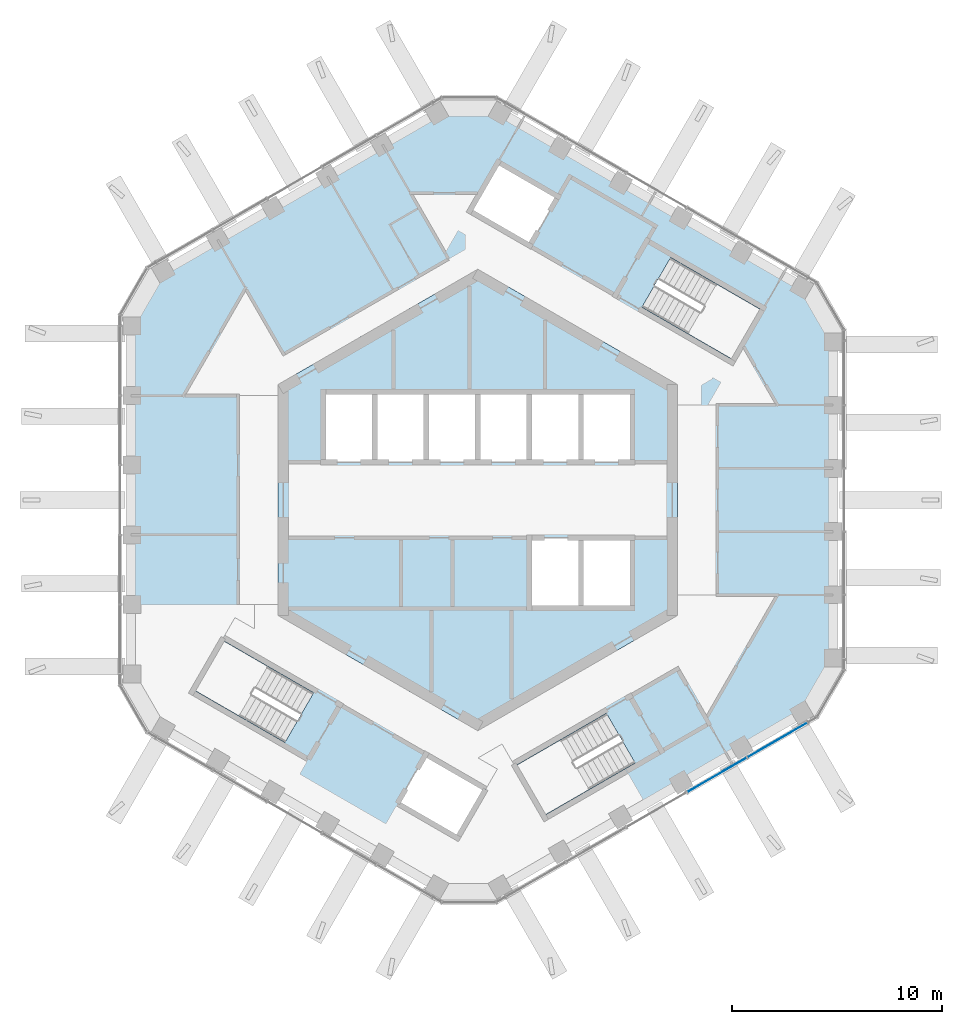
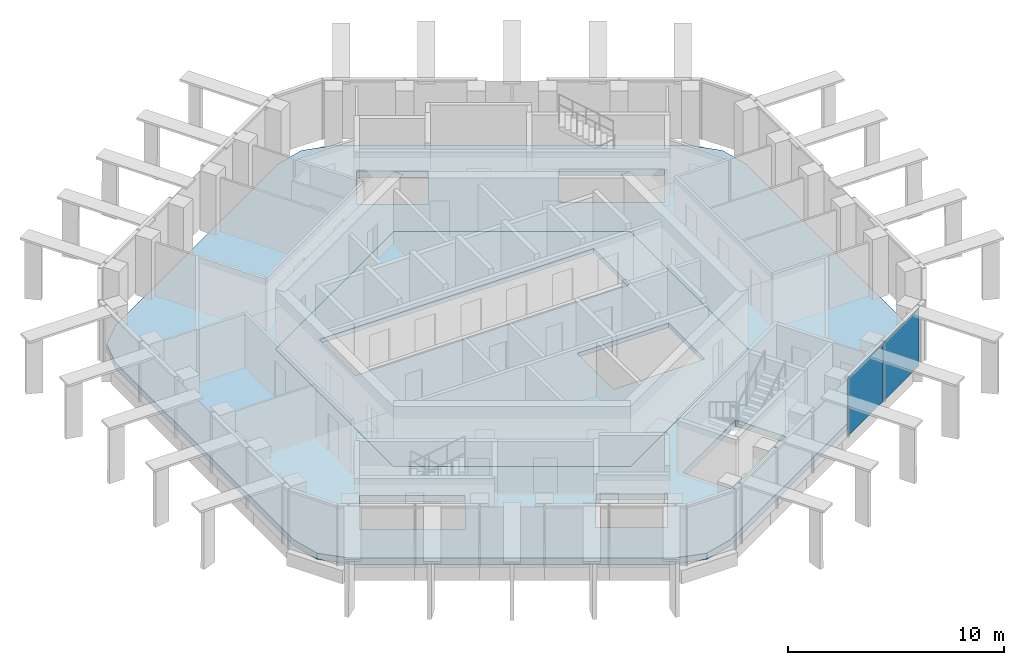
# One storey, part 8 of 18: 2 plates, 2 slabs, 1 element without a shape of its own.
"""IFC4 building model written with IfcOpenShell, lengths in metres."""

import ifcopenshell
import ifcopenshell.guid

model = None  # the IFC model being written
_history = None  # IfcOwnerHistory: only IFC2X3 demands one
_inside = {}  # id of a spatial element -> (the spatial element, [elements in it])
_under = {}  # id of a project, library or spatial element -> (it, [spatial elements below it])
_declared = {}  # id of a project -> (the project, [libraries it declares])
_typed = {}  # id of a type object -> (the type object, [elements of that type])
_made_of = {}  # id of a material, layer set ... -> (it, [elements and type objects made of it])


def new_model(schema):
    """Start an empty IFC model of exactly this schema.

    Asked for "IFC4X3", IfcOpenShell would pick the latest addendum, in which some entities
    have other attributes; the version numbers below select the first issue.
    IFC2X3 requires an IfcOwnerHistory on every rooted entity: one is made here for all.
    """
    global model, _history
    if schema == "IFC4X3":
        model = ifcopenshell.file(schema_version=(4, 3, 0, 0))
    else:
        model = ifcopenshell.file(schema=schema)
    _inside.clear()
    _under.clear()
    _declared.clear()
    _typed.clear()
    _made_of.clear()
    _history = None
    if model.schema == "IFC2X3":
        org = make("IfcOrganization", Name="unknown")
        user = make(
            "IfcPersonAndOrganization",
            ThePerson=make("IfcPerson", FamilyName="unknown"),
            TheOrganization=org,
        )
        app = make(
            "IfcApplication",
            ApplicationDeveloper=org,
            Version="unknown",
            ApplicationFullName="unknown",
            ApplicationIdentifier="unknown",
        )
        _history = make(
            "IfcOwnerHistory",
            OwningUser=user,
            OwningApplication=app,
            ChangeAction="ADDED",
            CreationDate=0,
        )
    return model


def make(cls, **values):
    """One entity of the class cls with the attributes given. An attribute that is None is left unset."""
    return model.create_entity(
        cls, **{name: value for name, value in values.items() if value is not None}
    )


def rooted(cls, **values):
    """An entity with a GlobalId (a new one), such as an element, a storey or a relation."""
    return make(cls, GlobalId=ifcopenshell.guid.new(), OwnerHistory=_history, **values)


def si_unit(unit_type, name, prefix=None):
    """IfcSIUnit, for example si_unit("LENGTHUNIT", "METRE", prefix="MILLI")."""
    return make("IfcSIUnit", UnitType=unit_type, Prefix=prefix, Name=name)


def assignment(units):
    """IfcUnitAssignment: the units of a project."""
    return None if units is None else make("IfcUnitAssignment", Units=units)


def point(xyz):
    """IfcCartesianPoint."""
    return None if xyz is None else make("IfcCartesianPoint", Coordinates=xyz)


def direction(xyz):
    """IfcDirection."""
    return None if xyz is None else make("IfcDirection", DirectionRatios=xyz)


def frame(location, z_axis=None, x_axis=None):
    """IfcAxis2Placement3D, a coordinate frame: its origin and axes. An axis left out is left unset."""
    return make(
        "IfcAxis2Placement3D",
        Location=point(location),
        Axis=direction(z_axis),
        RefDirection=direction(x_axis),
    )


def frame_2d(location, x_axis=None):
    """IfcAxis2Placement2D, a coordinate frame in the plane: its origin and x axis."""
    return make(
        "IfcAxis2Placement2D", Location=point(location), RefDirection=direction(x_axis)
    )


def origin():
    """The frame at (0, 0, 0) with its axes left unset."""
    return frame((0.0, 0.0, 0.0))


def origin_2d():
    """The frame at (0, 0) in the plane with its x axis left unset."""
    return frame_2d((0.0, 0.0))


def place(relative_to, where):
    """IfcLocalPlacement: puts the frame where relative to a parent placement (None: the world)."""
    return make(
        "IfcLocalPlacement", PlacementRelTo=relative_to, RelativePlacement=where
    )


def context(
    kind, dimensions, precision=None, world=None, true_north=None, identifier=None
):
    """IfcGeometricRepresentationContext, for example the 3D "Model" context."""
    return make(
        "IfcGeometricRepresentationContext",
        ContextIdentifier=identifier,
        ContextType=kind,
        CoordinateSpaceDimension=dimensions,
        Precision=precision,
        WorldCoordinateSystem=world,
        TrueNorth=true_north,
    )


def subcontext(parent, identifier, kind, view, scale=None):
    """IfcGeometricRepresentationSubContext, for example "Body" below "Model"."""
    return make(
        "IfcGeometricRepresentationSubContext",
        ContextIdentifier=identifier,
        ContextType=kind,
        ParentContext=parent,
        TargetScale=scale,
        TargetView=view,
    )


def project(units=None, contexts=None):
    """IfcProject with its units and contexts."""
    return rooted(
        "IfcProject",
        Name="project",
        RepresentationContexts=contexts,
        UnitsInContext=assignment(units),
    )


def spatial(cls, under=None, at=None, **own):
    """A site, building, storey or space (cls), placed at a placement, below another one or the project."""
    s = rooted(cls, ObjectPlacement=at, **own)
    if under is not None:
        _under.setdefault(under.id(), (under, []))[1].append(s)
    return s


def polyline(points):
    """IfcPolyline through the points."""
    return make("IfcPolyline", Points=[point(p) for p in points])


def profile(cls, at=None, kind="AREA", **sizes):
    """A parametric profile (cls). Its sizes go by their IFC names, for example OverallWidth=200.0."""
    return make(cls, ProfileType=kind, Position=at, **sizes)


def rectangle(**sizes):
    """IfcRectangleProfileDef."""
    return profile("IfcRectangleProfileDef", **sizes)


def outline(outer, holes=None, kind="AREA"):
    """IfcArbitraryClosedProfileDef: a profile drawn as a closed curve; with holes, ...WithVoids."""
    if holes is None:
        return make("IfcArbitraryClosedProfileDef", ProfileType=kind, OuterCurve=outer)
    return make(
        "IfcArbitraryProfileDefWithVoids",
        ProfileType=kind,
        OuterCurve=outer,
        InnerCurves=holes,
    )


def extrude(swept, where, along, depth):
    """IfcExtrudedAreaSolid: the profile swept, set in the frame where, extruded along a direction by depth."""
    return make(
        "IfcExtrudedAreaSolid",
        SweptArea=swept,
        Position=where,
        ExtrudedDirection=direction(along),
        Depth=depth,
    )


def shape(context_of_items, identifier, shape_type, items):
    """IfcShapeRepresentation: the items that make up one representation, for example the "Body"."""
    return make(
        "IfcShapeRepresentation",
        ContextOfItems=context_of_items,
        RepresentationIdentifier=identifier,
        RepresentationType=shape_type,
        Items=items,
    )


def material(Name=None, Category=None):
    """IfcMaterial."""
    return make("IfcMaterial", Name=Name, Category=Category)


def layer(
    of_material, thickness, ventilated=None, Name=None, Category=None, Priority=None
):
    """IfcMaterialLayer: one layer of a wall or slab, of a material (None: an air gap)."""
    return make(
        "IfcMaterialLayer",
        Material=of_material,
        LayerThickness=thickness,
        IsVentilated=ventilated,
        Name=Name,
        Category=Category,
        Priority=Priority,
    )


def layer_set(layers, Name=None):
    """IfcMaterialLayerSet."""
    return make("IfcMaterialLayerSet", MaterialLayers=layers, LayerSetName=Name)


def made_of(thing, what):
    """Note that an element or type object is made of a material, layer set ...; save() writes the relation."""
    if what is not None:
        _made_of.setdefault(what.id(), (what, []))[1].append(thing)
    return thing


def type_object(cls, material=None, **own):
    """A type object (cls), such as IfcWallType, which elements share."""
    return made_of(rooted(cls, **own), material)


def element(
    cls,
    number,
    at=None,
    inside=None,
    cuts=None,
    type_object=None,
    material=None,
    context=None,
    identifier="Body",
    shape_type=None,
    held_by="IfcProductDefinitionShape",
    body=None,
    shapes=None,
    **own,
):
    """One element of the class cls, such as IfcWall. Its Tag is "e" and its number.

    at: its placement. inside: the storey or other place that contains it. cuts: it is an
    opening in that element (IfcRelVoidsElement). A single representation is given by context,
    identifier, shape_type and body (its items); several are given by shapes. held_by: the class
    of the entity that holds the representations. save() writes the other relations.
    """
    e = rooted(cls, Tag="e%d" % number, ObjectPlacement=at, **own)
    if body is not None:
        shapes = [shape(context, identifier, shape_type, body)]
    if shapes is not None:
        e.Representation = make(held_by, Representations=shapes)
    if inside is not None:
        _inside.setdefault(inside.id(), (inside, []))[1].append(e)
    if cuts is not None:
        rooted(
            "IfcRelVoidsElement", RelatingBuildingElement=cuts, RelatedOpeningElement=e
        )
    if type_object is not None:
        _typed.setdefault(type_object.id(), (type_object, []))[1].append(e)
    return made_of(e, material)


def aggregate(whole, parts):
    """IfcRelAggregates: a whole, such as a stair, and the parts it consists of."""
    return rooted("IfcRelAggregates", RelatingObject=whole, RelatedObjects=parts)


def save(model, path):
    """Write the relations noted so far, then the file.

    IfcRelAggregates (storeys below a building ...), IfcRelContainedInSpatialStructure (elements
    in a storey), IfcRelDefinesByType, IfcRelAssociatesMaterial and IfcRelDeclares: one each for
    every whole, place, type object, material and project.
    """
    for whole, parts in _under.values():
        aggregate(whole, parts)
    for where, things in _inside.values():
        rooted(
            "IfcRelContainedInSpatialStructure",
            RelatedElements=things,
            RelatingStructure=where,
        )
    for kind, things in _typed.values():
        rooted("IfcRelDefinesByType", RelatedObjects=things, RelatingType=kind)
    for what, things in _made_of.values():
        rooted("IfcRelAssociatesMaterial", RelatedObjects=things, RelatingMaterial=what)
    for by, libraries in _declared.values():
        rooted("IfcRelDeclares", RelatingContext=by, RelatedDefinitions=libraries)
    model.write(path)


model = new_model("IFC4")

# Units and contexts
model_context = context("Model", 3, precision=1e-05, world=origin(), true_north=direction((0.0, 1.0)))
body_context = subcontext(model_context, "Body", "Model", "MODEL_VIEW")
ifc_project = project(units=[si_unit("LENGTHUNIT", "METRE"), si_unit("AREAUNIT", "SQUARE_METRE"), si_unit("VOLUMEUNIT", "CUBIC_METRE"), si_unit("PLANEANGLEUNIT", "RADIAN"), si_unit("MASSUNIT", "GRAM", prefix="KILO")], contexts=[model_context])

# Site, building, storey
site_placement = place(None, origin())
site = spatial("IfcSite", under=ifc_project, at=site_placement, CompositionType="ELEMENT")
building_placement = place(site_placement, origin())
building = spatial("IfcBuilding", under=site, at=building_placement, Name="Ayvan Gate Tower", CompositionType="ELEMENT")
storey_placement = place(building_placement, frame((0.0, 0.0, 242.699951171875)))
storey = spatial("IfcBuildingStorey", under=building, at=storey_placement, Name="L65", CompositionType="ELEMENT", Elevation=242.699951171875)

# Slabs
ifc_material_1 = material(Name="Concrete C40/50", Category="concrete")
ifc_layer_1 = layer(ifc_material_1, 0.35009765625)
ifc_layer_set_1 = layer_set([ifc_layer_1], Name="Concrete C40/50")
slab_type_1 = type_object("IfcSlabType", Name="Post-tensioned flat slab 350", PredefinedType="FLOOR", material=ifc_layer_set_1)
slab_1_placement = place(storey_placement, frame((0.0, 0.0, -0.349853515625)))
element("IfcSlab", 1, at=slab_1_placement, inside=storey, type_object=slab_type_1, Name="SL-L65", PredefinedType="FLOOR", context=body_context, shape_type="SweptSolid", body=[
    extrude(outline(polyline([(1.08447265625, -18.39404296875), (-0.41552734375, -18.796142578125), (-1.91552734375, -18.39404296875), (-14.97216796875, -10.85595703125), (-16.070068359375, -9.7578125), (-16.47216796875, -8.2578125), (-16.47216796875, 8.2578125), (-16.070068359375, 9.7578125), (-14.97216796875, 10.85595703125), (-1.91552734375, 18.39404296875), (-0.41552734375, 18.796142578125), (1.08447265625, 18.39404296875), (15.387451171875, 10.13623046875), (16.485595703125, 9.038330078125), (16.887451171875, 7.538330078125), (16.887451171875, -7.538330078125), (16.485595703125, -9.038330078125), (15.387451171875, -10.13623046875), (1.08447265625, -18.39404296875)]), holes=[polyline([(12.049560546875, 6.720458984375), (13.404541015625, 9.0673828125), (9.1611328125, 11.517578125), (7.80615234375, 9.170654296875), (12.049560546875, 6.720458984375)]), polyline([(9.5, 5.48486328125), (0.0, 10.9697265625), (-9.5, 5.48486328125), (-9.5, -5.48486328125), (0.0, -10.9697265625), (9.5, -5.48486328125), (9.5, 5.48486328125)]), polyline([(1.873779296875, -12.595458984375), (3.228759765625, -14.9423828125), (7.472412109375, -12.492431640625), (6.117431640625, -10.1455078125), (1.873779296875, -12.595458984375)]), polyline([(3.822509765625, 14.420654296875), (0.964599609375, 16.07080078125), (-0.385498046875, 13.732421875), (2.472412109375, 12.08251953125), (3.822509765625, 14.420654296875)]), polyline([(0.385498046875, -13.732421875), (-2.472412109375, -12.08251953125), (-3.822509765625, -14.420654296875), (-0.964599609375, -16.07080078125), (0.385498046875, -13.732421875)]), polyline([(-9.1611328125, -11.517578125), (-7.80615234375, -9.170654296875), (-12.049560546875, -6.720458984375), (-13.404541015625, -9.0673828125), (-9.1611328125, -11.517578125)])]), origin(), (0.0, 0.0, 1.0), 0.349853515625),
])
ifc_layer_2 = layer(ifc_material_1, 0.25)
ifc_layer_set_2 = layer_set([ifc_layer_2], Name="Concrete C40/50")
slab_type_2 = type_object("IfcSlabType", Name="SL-CORE-250", PredefinedType="FLOOR", material=ifc_layer_set_2)
slab_2_placement = place(storey_placement, frame((0.0, 0.0, -0.25)))
element("IfcSlab", 2, at=slab_2_placement, inside=storey, type_object=slab_type_2, Name="CS-L65", PredefinedType="FLOOR", context=body_context, shape_type="SweptSolid", body=[
    extrude(outline(polyline([(9.5, -5.48486328125), (0.0, -10.9697265625), (-9.5, -5.48486328125), (-9.5, 5.48486328125), (0.0, 10.9697265625), (9.5, 5.48486328125), (9.5, -5.48486328125)]), holes=[polyline([(-7.35009765625, 5.14990234375), (-7.35009765625, 1.800048828125), (7.35009765625, 1.800048828125), (7.35009765625, 5.14990234375), (-7.35009765625, 5.14990234375)]), polyline([(2.449951171875, -1.800048828125), (2.449951171875, -5.14990234375), (7.35009765625, -5.14990234375), (7.35009765625, -1.800048828125), (2.449951171875, -1.800048828125)])]), origin(), (0.0, 0.0, 1.0), 0.25),
])

# Curtain wall, plates
ifc_material_2 = material(Name="Bronze anodised aluminium", Category="aluminium")
ifc_layer_3 = layer(ifc_material_2, 0.199951171875)
ifc_layer_set_3 = layer_set([ifc_layer_3], Name="Bronze anodised aluminium")
curtain_wall_type = type_object("IfcCurtainWallType", Name="Stick curtain wall CW-2", PredefinedType="NOTDEFINED", material=ifc_layer_set_3)
curtain_wall_placement = place(storey_placement, origin())
curtain_wall = element("IfcCurtainWall", 3, at=curtain_wall_placement, inside=storey, type_object=curtain_wall_type, Name="Stick curtain wall CW-2 L65", PredefinedType="NOTDEFINED")
ifc_material_3 = material(Name="Clear low-iron laminated glass", Category="glass")
ifc_layer_4 = layer(ifc_material_3, 0.028076171875)
ifc_layer_set_4 = layer_set([ifc_layer_4], Name="Clear low-iron laminated glass")
plate_type = type_object("IfcPlateType", Name="Stick curtain wall CW-2 glass panel", PredefinedType="CURTAIN_PANEL", material=ifc_layer_set_4)
plate_1_placement = place(storey_placement, frame((11.365234375, -13.06494140625, 0.0), z_axis=(0.0, 0.0, 1.0), x_axis=(0.866025403784, 0.5, 0.0)))
plate_1 = element("IfcPlate", 4, at=plate_1_placement, type_object=plate_type, Name="CW-2 glass panel 4", PredefinedType="CURTAIN_PANEL", context=body_context, shape_type="SweptSolid", body=[
    extrude(rectangle(XDim=3.239990234375, YDim=0.028076171875, at=origin_2d()), origin(), (0.0, 0.0, 1.0), 3.280029296875),
])
plate_2_placement = place(storey_placement, frame((14.254150390625, -11.39697265625, 0.0), z_axis=(0.0, 0.0, 1.0), x_axis=(0.866025403784, 0.5, 0.0)))
plate_2 = element("IfcPlate", 5, at=plate_2_placement, type_object=plate_type, Name="CW-2 glass panel 5", PredefinedType="CURTAIN_PANEL", context=body_context, shape_type="SweptSolid", body=[
    extrude(rectangle(XDim=3.291748046875, YDim=0.028076171875, at=origin_2d()), origin(), (0.0, 0.0, 1.0), 3.280029296875),
])
aggregate(curtain_wall, [plate_1, plate_2])

save(model, "model.ifc")
